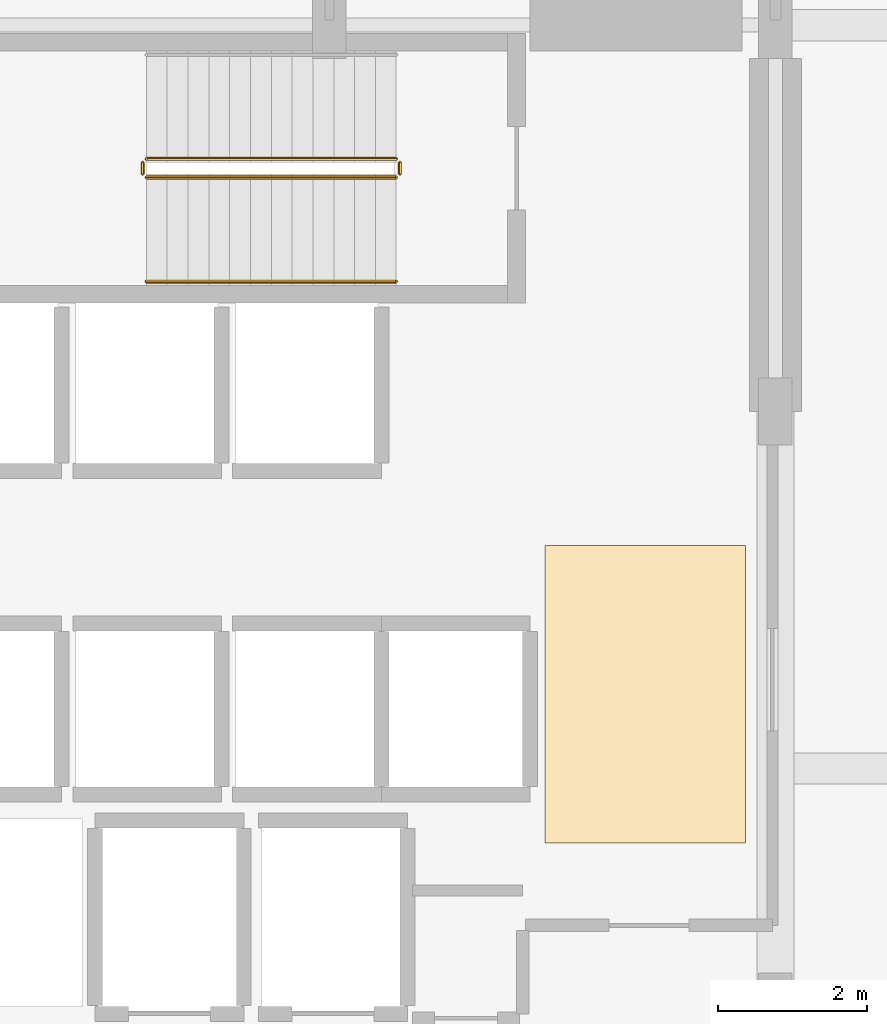
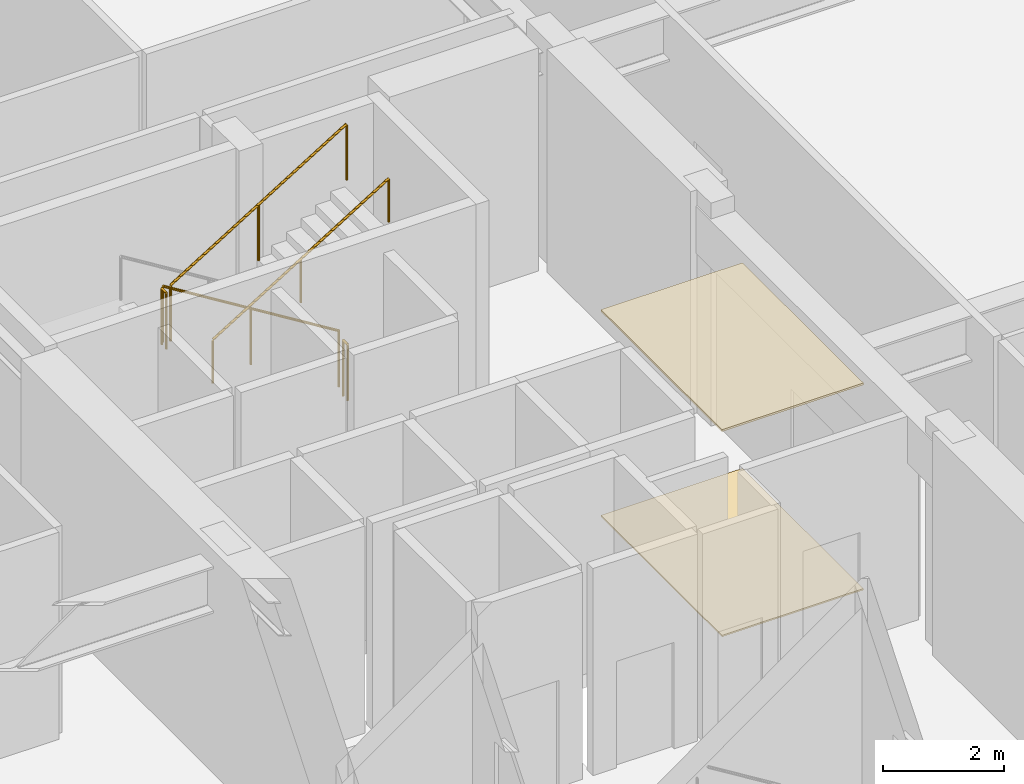
# One storey, part 26 of 28: 5 railings, 2 coverings.
"""IFC4 building model written with IfcOpenShell, lengths in metres."""

from ifc_helpers import new_model, si_unit, direction, frame, origin, origin_2d, place, context, subcontext, project, spatial, polyline, circle, outline, extrude, material, layer, layer_set, type_object, element, save


model = new_model("IFC4")

# Units and contexts
model_context = context("Model", 3, precision=1e-05, world=origin(), true_north=direction((0.0, 1.0)))
body_context = subcontext(model_context, "Body", "Model", "MODEL_VIEW")
ifc_project = project(units=[si_unit("LENGTHUNIT", "METRE"), si_unit("AREAUNIT", "SQUARE_METRE"), si_unit("VOLUMEUNIT", "CUBIC_METRE"), si_unit("PLANEANGLEUNIT", "RADIAN"), si_unit("MASSUNIT", "GRAM", prefix="KILO")], contexts=[model_context])

# Site, building, storey
site_placement = place(None, origin())
site = spatial("IfcSite", under=ifc_project, at=site_placement, CompositionType="ELEMENT")
building_placement = place(site_placement, origin())
building = spatial("IfcBuilding", under=site, at=building_placement, Name="Soratama Intermodal Tower", CompositionType="ELEMENT")
storey_placement = place(building_placement, frame((0.0, 0.0, 20.699951171875)))
storey = spatial("IfcBuildingStorey", under=building, at=storey_placement, Name="L04", CompositionType="ELEMENT", Elevation=20.699951171875)

# Coverings
ifc_material_1 = material(Name="Perforated mineral acoustic ceiling", Category="concrete")
ifc_layer_1 = layer(ifc_material_1, 0.0400390625)
ifc_layer_set_1 = layer_set([ifc_layer_1], Name="Perforated mineral acoustic ceiling")
covering_type_1 = type_object("IfcCoveringType", Name="CV-CEIL-ACOUSTIC", PredefinedType="CEILING", material=ifc_layer_set_1)
covering_1_placement = place(storey_placement, frame((0.0, 0.0, 4.14013671875)))
element("IfcCovering", 1, at=covering_1_placement, inside=storey, type_object=covering_type_1, Name="L04 Acoustic Ceiling", PredefinedType="CEILING", context=body_context, shape_type="SweptSolid", body=[
    extrude(outline(polyline([(41.5, 24.0), (44.199951171875, 24.0), (44.199951171875, 28.0), (41.5, 28.0), (41.5, 24.0)])), origin(), (0.0, 0.0, 1.0), 0.039794921875),
])
ifc_material_2 = material(Name="Polished Andean stone terrazzo flooring", Category="masonry")
ifc_layer_2 = layer(ifc_material_2, 0.030029296875)
ifc_layer_set_2 = layer_set([ifc_layer_2], Name="Polished Andean stone terrazzo flooring")
covering_type_2 = type_object("IfcCoveringType", Name="CV-FLOR-TERRAZZO", PredefinedType="FLOORING", material=ifc_layer_set_2)
covering_2_placement = place(storey_placement, origin())
element("IfcCovering", 2, at=covering_2_placement, inside=storey, type_object=covering_type_2, Name="L04 Lobby Terrazzo Flooring", PredefinedType="FLOORING", context=body_context, shape_type="SweptSolid", body=[
    extrude(outline(polyline([(41.5, 24.0), (44.199951171875, 24.0), (44.199951171875, 28.0), (41.5, 28.0), (41.5, 24.0)])), origin(), (0.0, 0.0, 1.0), 0.030029296875),
])

# Railings
ifc_material_3 = material(Name="Painted steel stair guardrail", Category="steel")
railing_type_1 = type_object("IfcRailingType", Name="RL-STAIR-GUARD", PredefinedType="GUARDRAIL", material=ifc_material_3)
railing_1_placement = place(storey_placement, frame((39.5, 33.199951171875, 0.173095703125)))
element("IfcRailing", 3, at=railing_1_placement, inside=storey, type_object=railing_type_1, Name="L04 ST-2 stair guard 1", PredefinedType="GUARDRAIL", context=body_context, shape_type="SweptSolid", body=[
    extrude(circle(Radius=0.02392578125, at=origin_2d()), frame((0.0, 0.0, 1.1259765625), z_axis=(-0.850623216509, 0.0, 0.525775754039), x_axis=(0.0, -1.0, 0.0)), (0.0, 0.0, 1.0), 3.9501953125),
    extrude(circle(Radius=0.02099609375, at=origin_2d()), origin(), (0.0, 0.0, 1.0), 1.101806640625),
    extrude(circle(Radius=0.02099609375, at=origin_2d()), frame((-1.68017578125, 0.0, 1.03857421875)), (0.0, 0.0, 1.0), 1.101806640625),
    extrude(circle(Radius=0.02099609375, at=origin_2d()), frame((-3.360107421875, 0.0, 2.076904296875)), (0.0, 0.0, 1.0), 1.101806640625),
])
railing_2_placement = place(storey_placement, frame((36.090087890625, 33.14990234375, 2.25)))
element("IfcRailing", 4, at=railing_2_placement, inside=storey, type_object=railing_type_1, Name="L04 ST-2 stair guard 2", PredefinedType="GUARDRAIL", context=body_context, shape_type="SweptSolid", body=[
    extrude(circle(Radius=0.02392578125, at=origin_2d()), frame((0.0, 0.0, 1.1259765625), z_axis=(0.0, -1.0, 0.0), x_axis=(1.0, 0.0, 0.0)), (0.0, 0.0, 1.0), 0.14990234375),
    extrude(circle(Radius=0.02099609375, at=origin_2d()), origin(), (0.0, 0.0, 1.0), 1.101806640625),
    extrude(circle(Radius=0.02099609375, at=origin_2d()), frame((0.0, -0.14990234375, 0.0)), (0.0, 0.0, 1.0), 1.101806640625),
])
railing_3_placement = place(storey_placement, frame((36.139892578125, 32.949951171875, 2.423095703125)))
element("IfcRailing", 5, at=railing_3_placement, inside=storey, type_object=railing_type_1, Name="L04 ST-2 stair guard 3", PredefinedType="GUARDRAIL", context=body_context, shape_type="SweptSolid", body=[
    extrude(circle(Radius=0.02392578125, at=origin_2d()), frame((0.0, 0.0, 1.1259765625), z_axis=(0.850623216509, 0.0, 0.525775754039), x_axis=(0.0, 1.0, 0.0)), (0.0, 0.0, 1.0), 3.9501953125),
    extrude(circle(Radius=0.02099609375, at=origin_2d()), origin(), (0.0, 0.0, 1.0), 1.101806640625),
    extrude(circle(Radius=0.02099609375, at=origin_2d()), frame((1.68017578125, 0.0, 1.03857421875)), (0.0, 0.0, 1.0), 1.101806640625),
    extrude(circle(Radius=0.02099609375, at=origin_2d()), frame((3.360107421875, 0.0, 2.076904296875)), (0.0, 0.0, 1.0), 1.101806640625),
])
railing_4_placement = place(storey_placement, frame((39.550048828125, 33.14990234375, 0.0)))
element("IfcRailing", 6, at=railing_4_placement, inside=storey, type_object=railing_type_1, Name="L04 ST-2 stair guard 4", PredefinedType="GUARDRAIL", context=body_context, shape_type="SweptSolid", body=[
    extrude(circle(Radius=0.02392578125, at=origin_2d()), frame((0.0, 0.0, 1.1259765625), z_axis=(0.0, -1.0, 0.0), x_axis=(1.0, 0.0, 0.0)), (0.0, 0.0, 1.0), 0.14990234375),
    extrude(circle(Radius=0.02099609375, at=origin_2d()), origin(), (0.0, 0.0, 1.0), 1.101806640625),
    extrude(circle(Radius=0.02099609375, at=origin_2d()), frame((0.0, -0.14990234375, 0.0)), (0.0, 0.0, 1.0), 1.101806640625),
])
ifc_material_4 = material(Name="Brushed stainless steel handrail", Category="steel")
railing_type_2 = type_object("IfcRailingType", Name="RL-STAIR-HAND", PredefinedType="HANDRAIL", material=ifc_material_4)
railing_5_placement = place(storey_placement, frame((36.139892578125, 31.550048828125, 2.423095703125)))
element("IfcRailing", 7, at=railing_5_placement, inside=storey, type_object=railing_type_2, Name="L04 ST-2 stair handrail 2", PredefinedType="HANDRAIL", context=body_context, shape_type="SweptSolid", body=[
    extrude(circle(Radius=0.02392578125, at=origin_2d()), frame((0.0, 0.0, 0.8759765625), z_axis=(0.850623216509, 0.0, 0.525775754039), x_axis=(0.0, 1.0, 0.0)), (0.0, 0.0, 1.0), 3.9501953125),
    extrude(circle(Radius=0.02099609375, at=origin_2d()), origin(), (0.0, 0.0, 1.0), 0.851806640625),
    extrude(circle(Radius=0.02099609375, at=origin_2d()), frame((1.68017578125, 0.0, 1.03857421875)), (0.0, 0.0, 1.0), 0.851806640625),
    extrude(circle(Radius=0.02099609375, at=origin_2d()), frame((3.360107421875, 0.0, 2.076904296875)), (0.0, 0.0, 1.0), 0.851806640625),
])

save(model, "model.ifc")
